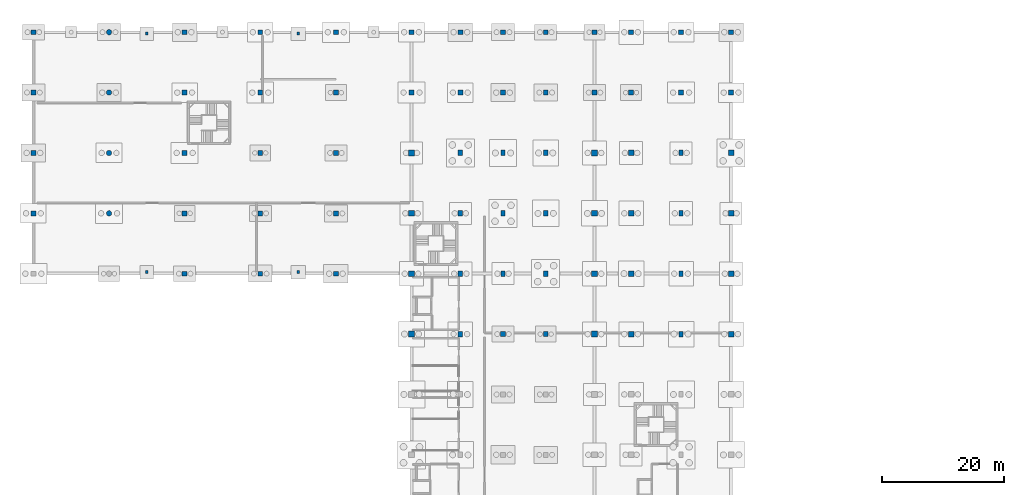
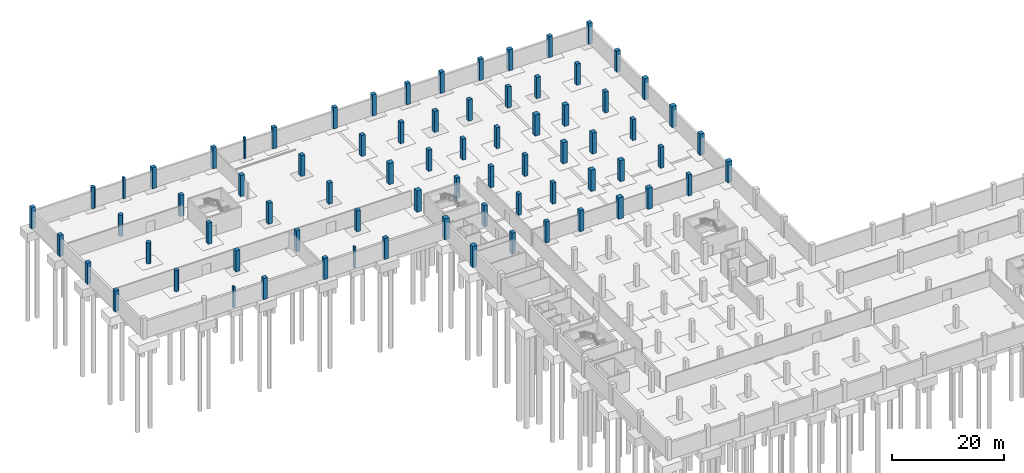
# One storey, part 7 of 30: 75 columns.
"""IFC4 building model written with IfcOpenShell, lengths in metres."""

from ifc_helpers import new_model, si_unit, direction, frame, origin, origin_2d, place, context, subcontext, project, spatial, rectangle, circle, extrude, material, material_profile, profile_set, type_object, element, save


model = new_model("IFC4")

# Units and contexts
model_context = context("Model", 3, precision=1e-05, world=origin(), true_north=direction((0.0, 1.0)))
body_context = subcontext(model_context, "Body", "Model", "MODEL_VIEW")
ifc_project = project(units=[si_unit("LENGTHUNIT", "METRE"), si_unit("AREAUNIT", "SQUARE_METRE"), si_unit("VOLUMEUNIT", "CUBIC_METRE"), si_unit("PLANEANGLEUNIT", "RADIAN"), si_unit("MASSUNIT", "GRAM", prefix="KILO")], contexts=[model_context])

# Site, building, storey
site_placement = place(None, origin())
site = spatial("IfcSite", under=ifc_project, at=site_placement, CompositionType="ELEMENT")
building_placement = place(site_placement, origin())
building = spatial("IfcBuilding", under=site, at=building_placement, Name="Sillaruma Civic Art Gallery", CompositionType="ELEMENT")
storey_placement = place(building_placement, frame((0.0, 0.0, -9.179931640625)))
storey = spatial("IfcBuildingStorey", under=building, at=storey_placement, Name="B02", CompositionType="ELEMENT", Elevation=-9.179931640625)

# Columns
ifc_material = material(Name="Concrete H40 (40 MPa)", Category="concrete")
ifc_material_profile_1 = material_profile(ifc_material, rectangle(XDim=0.800048828125, YDim=0.800048828125, at=origin_2d()), Name="RC800x800")
ifc_profile_set_1 = profile_set([ifc_material_profile_1], Name="Concrete H40 (40 MPa)")
column_type_1 = type_object("IfcColumnType", Name="COL-COLUMN-RC800x800", PredefinedType="COLUMN", material=ifc_profile_set_1)
for number, where, z_axis, x_axis, name in (
    (1, (0.0, 89.10009765625, 0.0), (0.0, 0.0, 1.0), (1.0, 0.0, 0.0), "Column C-04 (B02:A10)"),
    (2, (0.0, 99.0, 0.0), (0.0, 0.0, 1.0), (1.0, 0.0, 0.0), "Column C-04 (B02:A11)"),
    (3, (0.0, 108.89990234375, 0.0), (0.0, 0.0, 1.0), (1.0, 0.0, 0.0), "Column C-04 (B02:A12)"),
    (4, (0.0, 118.800048828125, 0.0), (0.0, 0.0, 1.0), (1.0, 0.0, 0.0), "Column C-04 (B02:A13)"),
    (5, (24.800048828125, 79.199951171875, 0.0), (0.0, 0.0, 1.0), (1.0, 0.0, 0.0), "Column C-04 (B02:C9)"),
    (6, (24.800048828125, 89.10009765625, 0.0), (0.0, 0.0, 1.0), (1.0, 0.0, 0.0), "Column C-04 (B02:C10)"),
    (7, (24.800048828125, 99.0, 0.0), (0.0, 0.0, 1.0), (1.0, 0.0, 0.0), "Column C-04 (B02:C11)"),
    (8, (24.800048828125, 108.89990234375, 0.0), (0.0, 0.0, 1.0), (1.0, 0.0, 0.0), "Column C-04 (B02:C12)"),
    (9, (24.800048828125, 118.800048828125, 0.0), (0.0, 0.0, 1.0), (1.0, 0.0, 0.0), "Column C-04 (B02:C13)"),
    (10, (37.199951171875, 79.199951171875, 0.0), (0.0, 0.0, 1.0), (1.0, 0.0, 0.0), "Column C-04 (B02:D9)"),
    (11, (37.199951171875, 89.10009765625, 0.0), (0.0, 0.0, 1.0), (1.0, 0.0, 0.0), "Column C-04 (B02:D10)"),
    (12, (37.199951171875, 99.0, 0.0), (0.0, 0.0, 1.0), (1.0, 0.0, 0.0), "Column C-04 (B02:D11)"),
    (13, (37.199951171875, 108.89990234375, 0.0), (0.0, 0.0, 1.0), (1.0, 0.0, 0.0), "Column C-04 (B02:D12)"),
    (14, (37.199951171875, 118.800048828125, 0.0), (0.0, 0.0, 1.0), (1.0, 0.0, 0.0), "Column C-04 (B02:D13)"),
    (15, (49.60009765625, 79.199951171875, 0.0), (0.0, 0.0, 1.0), (1.0, 0.0, 0.0), "Column C-04 (B02:E9)"),
    (16, (49.60009765625, 89.10009765625, 0.0), (0.0, 0.0, 1.0), (1.0, 0.0, 0.0), "Column C-04 (B02:E10)"),
    (17, (49.60009765625, 99.0, 0.0), (0.0, 0.0, 1.0), (1.0, 0.0, 0.0), "Column C-04 (B02:E11)"),
    (18, (49.60009765625, 108.89990234375, 0.0), (0.0, 0.0, 1.0), (1.0, 0.0, 0.0), "Column C-04 (B02:E12)"),
    (19, (49.60009765625, 118.800048828125, 0.0), (0.0, 0.0, 1.0), (1.0, 0.0, 0.0), "Column C-04 (B02:E13)"),
    (20, (62.0, 108.89990234375, 0.0), (0.0, 0.0, 1.0), (1.0, 0.0, 0.0), "Column C-04 (B02:F12)"),
    (21, (62.0, 118.800048828125, 0.0), (0.0, 0.0, 1.0), (1.0, 0.0, 0.0), "Column C-04 (B02:F13)"),
    (22, (70.0, 108.89990234375, 0.0), (0.0, 0.0, 1.0), (1.0, 0.0, 0.0), "Column C-04 (B02:G12)"),
    (23, (70.0, 118.800048828125, 0.0), (0.0, 0.0, 1.0), (1.0, 0.0, 0.0), "Column C-04 (B02:G13)"),
    (24, (77.0, 69.300048828125, 0.0), (0.0, 0.0, 1.0), (1.0, 0.0, 0.0), "Column C-04 (B02:H8)"),
    (25, (77.0, 108.89990234375, 0.0), (0.0, 0.0, 1.0), (1.0, 0.0, 0.0), "Column C-04 (B02:H12)"),
    (26, (77.0, 118.800048828125, 0.0), (0.0, 0.0, 1.0), (1.0, 0.0, 0.0), "Column C-04 (B02:H13)"),
    (27, (84.0, 69.300048828125, 0.0), (0.0, 0.0, 1.0), (1.0, 0.0, 0.0), "Column C-04 (B02:J8)"),
    (28, (84.0, 108.89990234375, 0.0), (0.0, 0.0, 1.0), (1.0, 0.0, 0.0), "Column C-04 (B02:J12)"),
    (29, (84.0, 118.800048828125, 0.0), (0.0, 0.0, 1.0), (1.0, 0.0, 0.0), "Column C-04 (B02:J13)"),
    (30, (92.0, 108.89990234375, 0.0), (0.0, 0.0, 1.0), (1.0, 0.0, 0.0), "Column C-04 (B02:K12)"),
    (31, (92.0, 118.800048828125, 0.0), (0.0, 0.0, 1.0), (1.0, 0.0, 0.0), "Column C-04 (B02:K13)"),
    (32, (98.0, 108.89990234375, 0.0), (0.0, 0.0, 1.0), (1.0, 0.0, 0.0), "Column C-04 (B02:L12)"),
    (33, (98.0, 118.800048828125, 0.0), (0.0, 0.0, 1.0), (1.0, 0.0, 0.0), "Column C-04 (B02:L13)"),
    (34, (106.199951171875, 108.89990234375, 0.0), (0.0, 0.0, 1.0), (1.0, 0.0, 0.0), "Column C-04 (B02:M12)"),
    (35, (106.199951171875, 118.800048828125, 0.0), (0.0, 0.0, 1.0), (1.0, 0.0, 0.0), "Column C-04 (B02:M13)"),
    (36, (114.39990234375, 108.89990234375, 0.0), (0.0, 0.0, 1.0), (1.0, 0.0, 0.0), "Column C-04 (B02:N12)"),
    (37, (114.39990234375, 118.800048828125, 0.0), (0.0, 0.0, 1.0), (1.0, 0.0, 0.0), "Column C-04 (B02:N13)"),
):
    element("IfcColumn", number, at=place(storey_placement, frame(where, z_axis=z_axis, x_axis=x_axis)), inside=storey, type_object=column_type_1, Name=name, PredefinedType="COLUMN", context=body_context, shape_type="SweptSolid", body=[
        extrude(rectangle(XDim=0.800048828125, YDim=0.800048828125, at=origin_2d()), origin(), (0.0, 0.0, 1.0), 4.58984375),
    ])
ifc_material_profile_2 = material_profile(ifc_material, rectangle(XDim=0.699951171875, YDim=0.89990234375, at=origin_2d()), Name="RC900x700")
ifc_profile_set_2 = profile_set([ifc_material_profile_2], Name="Concrete H40 (40 MPa)")
column_type_2 = type_object("IfcColumnType", Name="COL-COLUMN-RC900x700", PredefinedType="COLUMN", material=ifc_profile_set_2)
for number, where, z_axis, x_axis, name in (
    (38, (70.0, 69.300048828125, 0.0), (0.0, 0.0, 1.0), (1.0, 0.0, 0.0), "Column C-09 (B02:G8)"),
    (39, (70.0, 79.199951171875, 0.0), (0.0, 0.0, 1.0), (1.0, 0.0, 0.0), "Column C-09 (B02:G9)"),
    (40, (70.0, 89.10009765625, 0.0), (0.0, 0.0, 1.0), (1.0, 0.0, 0.0), "Column C-09 (B02:G10)"),
    (41, (70.0, 99.0, 0.0), (0.0, 0.0, 1.0), (1.0, 0.0, 0.0), "Column C-09 (B02:G11)"),
    (42, (77.0, 79.199951171875, 0.0), (0.0, 0.0, 1.0), (1.0, 0.0, 0.0), "Column C-09 (B02:H9)"),
    (43, (77.0, 89.10009765625, 0.0), (0.0, 0.0, 1.0), (1.0, 0.0, 0.0), "Column C-09 (B02:H10)"),
    (44, (77.0, 99.0, 0.0), (0.0, 0.0, 1.0), (1.0, 0.0, 0.0), "Column C-09 (B02:H11)"),
    (45, (84.0, 79.199951171875, 0.0), (0.0, 0.0, 1.0), (1.0, 0.0, 0.0), "Column C-09 (B02:J9)"),
    (46, (84.0, 89.10009765625, 0.0), (0.0, 0.0, 1.0), (1.0, 0.0, 0.0), "Column C-09 (B02:J10)"),
    (47, (84.0, 99.0, 0.0), (0.0, 0.0, 1.0), (1.0, 0.0, 0.0), "Column C-09 (B02:J11)"),
    (48, (106.199951171875, 69.300048828125, 0.0), (0.0, 0.0, 1.0), (1.0, 0.0, 0.0), "Column C-09 (B02:M8)"),
    (49, (106.199951171875, 79.199951171875, 0.0), (0.0, 0.0, 1.0), (1.0, 0.0, 0.0), "Column C-09 (B02:M9)"),
    (50, (106.199951171875, 89.10009765625, 0.0), (0.0, 0.0, 1.0), (1.0, 0.0, 0.0), "Column C-09 (B02:M10)"),
    (51, (106.199951171875, 99.0, 0.0), (0.0, 0.0, 1.0), (1.0, 0.0, 0.0), "Column C-09 (B02:M11)"),
):
    element("IfcColumn", number, at=place(storey_placement, frame(where, z_axis=z_axis, x_axis=x_axis)), inside=storey, type_object=column_type_2, Name=name, PredefinedType="COLUMN", context=body_context, shape_type="SweptSolid", body=[
        extrude(rectangle(XDim=0.699951171875, YDim=0.89990234375, at=origin_2d()), origin(), (0.0, 0.0, 1.0), 4.58984375),
    ])
ifc_material_profile_3 = material_profile(ifc_material, rectangle(XDim=0.89990234375, YDim=0.89990234375, at=origin_2d()), Name="RC900x900")
ifc_profile_set_3 = profile_set([ifc_material_profile_3], Name="Concrete H40 (40 MPa)")
column_type_3 = type_object("IfcColumnType", Name="COL-COLUMN-RC900x900", PredefinedType="COLUMN", material=ifc_profile_set_3)
for number, where, z_axis, x_axis, name in (
    (52, (98.0, 69.300048828125, 0.0), (0.0, 0.0, 1.0), (1.0, 0.0, 0.0), "Column C-02 (B02:L8)"),
    (53, (98.0, 79.199951171875, 0.0), (0.0, 0.0, 1.0), (1.0, 0.0, 0.0), "Column C-02 (B02:L9)"),
    (54, (98.0, 89.10009765625, 0.0), (0.0, 0.0, 1.0), (1.0, 0.0, 0.0), "Column C-02 (B02:L10)"),
    (55, (98.0, 99.0, 0.0), (0.0, 0.0, 1.0), (1.0, 0.0, 0.0), "Column C-02 (B02:L11)"),
    (56, (114.39990234375, 69.300048828125, 0.0), (0.0, 0.0, 1.0), (1.0, 0.0, 0.0), "Column C-02 (B02:N8)"),
    (57, (114.39990234375, 79.199951171875, 0.0), (0.0, 0.0, 1.0), (1.0, 0.0, 0.0), "Column C-02 (B02:N9)"),
    (58, (114.39990234375, 89.10009765625, 0.0), (0.0, 0.0, 1.0), (1.0, 0.0, 0.0), "Column C-02 (B02:N10)"),
    (59, (114.39990234375, 99.0, 0.0), (0.0, 0.0, 1.0), (1.0, 0.0, 0.0), "Column C-02 (B02:N11)"),
):
    element("IfcColumn", number, at=place(storey_placement, frame(where, z_axis=z_axis, x_axis=x_axis)), inside=storey, type_object=column_type_3, Name=name, PredefinedType="COLUMN", context=body_context, shape_type="SweptSolid", body=[
        extrude(rectangle(XDim=0.89990234375, YDim=0.89990234375, at=origin_2d()), origin(), (0.0, 0.0, 1.0), 4.58984375),
    ])
ifc_material_profile_4 = material_profile(ifc_material, rectangle(XDim=0.949951171875, YDim=0.949951171875, at=origin_2d()), Name="RC950x950")
ifc_profile_set_4 = profile_set([ifc_material_profile_4], Name="Concrete H40 (40 MPa)")
column_type_4 = type_object("IfcColumnType", Name="COL-COLUMN-RC950x950", PredefinedType="COLUMN", material=ifc_profile_set_4)
for number, where, z_axis, x_axis, name in (
    (60, (62.0, 69.300048828125, 0.0), (0.0, 0.0, 1.0), (1.0, 0.0, 0.0), "Column C-01 (B02:F8)"),
    (61, (62.0, 79.199951171875, 0.0), (0.0, 0.0, 1.0), (1.0, 0.0, 0.0), "Column C-01 (B02:F9)"),
    (62, (62.0, 89.10009765625, 0.0), (0.0, 0.0, 1.0), (1.0, 0.0, 0.0), "Column C-01 (B02:F10)"),
    (63, (62.0, 99.0, 0.0), (0.0, 0.0, 1.0), (1.0, 0.0, 0.0), "Column C-01 (B02:F11)"),
    (64, (92.0, 69.300048828125, 0.0), (0.0, 0.0, 1.0), (1.0, 0.0, 0.0), "Column C-01 (B02:K8)"),
    (65, (92.0, 79.199951171875, 0.0), (0.0, 0.0, 1.0), (1.0, 0.0, 0.0), "Column C-01 (B02:K9)"),
    (66, (92.0, 89.10009765625, 0.0), (0.0, 0.0, 1.0), (1.0, 0.0, 0.0), "Column C-01 (B02:K10)"),
    (67, (92.0, 99.0, 0.0), (0.0, 0.0, 1.0), (1.0, 0.0, 0.0), "Column C-01 (B02:K11)"),
):
    element("IfcColumn", number, at=place(storey_placement, frame(where, z_axis=z_axis, x_axis=x_axis)), inside=storey, type_object=column_type_4, Name=name, PredefinedType="COLUMN", context=body_context, shape_type="SweptSolid", body=[
        extrude(rectangle(XDim=0.949951171875, YDim=0.949951171875, at=origin_2d()), origin(), (0.0, 0.0, 1.0), 4.58984375),
    ])
ifc_material_profile_5 = material_profile(ifc_material, circle(Radius=0.43994140625, at=origin_2d()), Name="RCC880")
ifc_profile_set_5 = profile_set([ifc_material_profile_5], Name="Concrete H40 (40 MPa)")
column_type_5 = type_object("IfcColumnType", Name="COL-COLUMN-RCC880", PredefinedType="COLUMN", material=ifc_profile_set_5)
for number, where, z_axis, x_axis, name in (
    (68, (12.39990234375, 89.10009765625, 0.0), (0.0, 0.0, 1.0), (1.0, 0.0, 0.0), "Column CC-01 (B02:B10)"),
    (69, (12.39990234375, 99.0, 0.0), (0.0, 0.0, 1.0), (1.0, 0.0, 0.0), "Column CC-01 (B02:B11)"),
    (70, (12.39990234375, 108.89990234375, 0.0), (0.0, 0.0, 1.0), (1.0, 0.0, 0.0), "Column CC-01 (B02:B12)"),
    (71, (12.39990234375, 118.800048828125, 0.0), (0.0, 0.0, 1.0), (1.0, 0.0, 0.0), "Column CC-01 (B02:B13)"),
):
    element("IfcColumn", number, at=place(storey_placement, frame(where, z_axis=z_axis, x_axis=x_axis)), inside=storey, type_object=column_type_5, Name=name, PredefinedType="COLUMN", context=body_context, shape_type="SweptSolid", body=[
        extrude(circle(Radius=0.43994140625, at=origin_2d()), origin(), (0.0, 0.0, 1.0), 4.58984375),
    ])
ifc_material_profile_6 = material_profile(ifc_material, rectangle(XDim=0.3798828125, YDim=0.5, at=origin_2d()), Name="RC500x380")
ifc_profile_set_6 = profile_set([ifc_material_profile_6], Name="Concrete H40 (40 MPa)")
column_type_6 = type_object("IfcColumnType", Name="COL-PILASTER-RC500x380", PredefinedType="PILASTER", material=ifc_profile_set_6)
for number, where, z_axis, x_axis, name in (
    (72, (18.60009765625, 79.449951171875, 0.0), (0.0, 0.0, 1.0), (1.0, 0.0, 0.0), "Pilaster CP-01 (B02:PIL-W1)"),
    (73, (43.39990234375, 79.449951171875, 0.0), (0.0, 0.0, 1.0), (1.0, 0.0, 0.0), "Pilaster CP-01 (B02:PIL-W2)"),
    (74, (18.60009765625, 118.550048828125, 0.0), (0.0, 0.0, 1.0), (1.0, 0.0, 0.0), "Pilaster CP-01 (B02:PIL-W3)"),
    (75, (43.39990234375, 118.550048828125, 0.0), (0.0, 0.0, 1.0), (1.0, 0.0, 0.0), "Pilaster CP-01 (B02:PIL-W4)"),
):
    element("IfcColumn", number, at=place(storey_placement, frame(where, z_axis=z_axis, x_axis=x_axis)), inside=storey, type_object=column_type_6, Name=name, PredefinedType="PILASTER", context=body_context, shape_type="SweptSolid", body=[
        extrude(rectangle(XDim=0.3798828125, YDim=0.5, at=origin_2d()), origin(), (0.0, 0.0, 1.0), 4.58984375),
    ])

save(model, "model.ifc")
